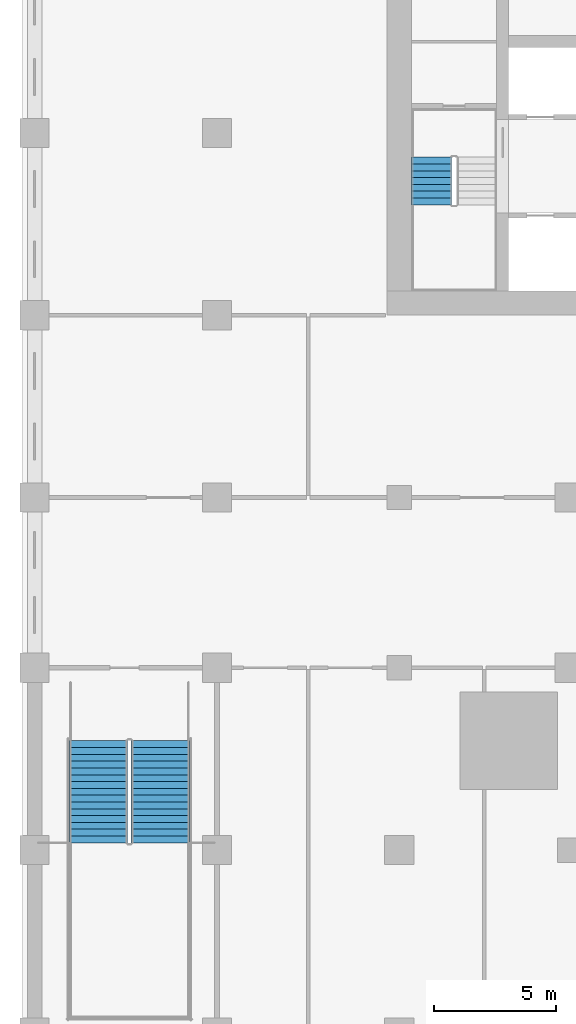
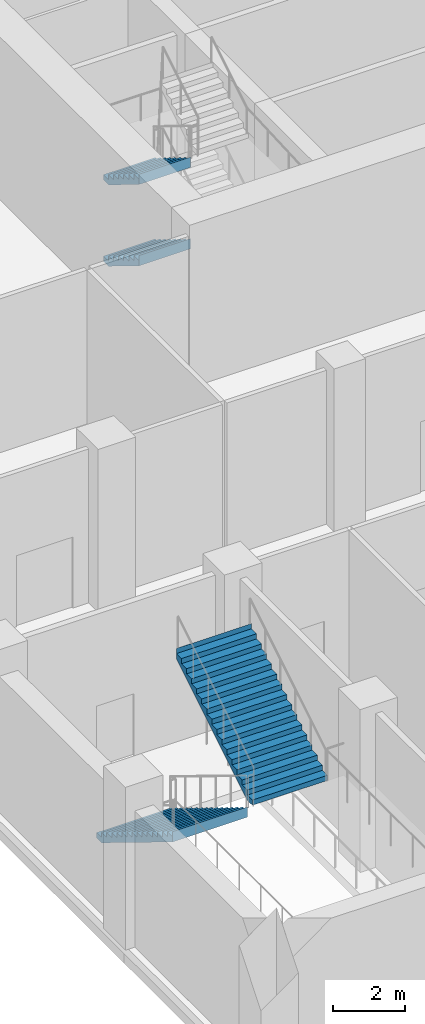
# One storey, part 13 of 25: 4 stair flights, 2 elements without a shape of their own.
"""IFC4 building model written with IfcOpenShell, lengths in metres."""

from ifc_helpers import new_model, si_unit, direction, frame, origin, place, context, subcontext, project, spatial, polyline, outline, extrude, material, type_object, element, aggregate, save


model = new_model("IFC4")

# Units and contexts
model_context = context("Model", 3, precision=1e-05, world=origin(), true_north=direction((0.0, 1.0)))
body_context = subcontext(model_context, "Body", "Model", "MODEL_VIEW")
ifc_project = project(units=[si_unit("LENGTHUNIT", "METRE"), si_unit("AREAUNIT", "SQUARE_METRE"), si_unit("VOLUMEUNIT", "CUBIC_METRE"), si_unit("PLANEANGLEUNIT", "RADIAN"), si_unit("MASSUNIT", "GRAM", prefix="KILO")], contexts=[model_context])

# Site, building, storey
site_placement = place(None, origin())
site = spatial("IfcSite", under=ifc_project, at=site_placement, CompositionType="ELEMENT")
building_placement = place(site_placement, origin())
building = spatial("IfcBuilding", under=site, at=building_placement, Name="Tamorin Gate", CompositionType="ELEMENT")
storey_placement = place(building_placement, frame((0.0, 0.0, 23.5)))
storey = spatial("IfcBuildingStorey", under=building, at=storey_placement, Name="L04", CompositionType="ELEMENT", Elevation=23.5)

# Stair, stair flights
ifc_material_1 = material(Name="Concrete C40/50", Category="concrete")
stair_type_1 = type_object("IfcStairType", Name="Exit stair", PredefinedType="HALF_TURN_STAIR", material=ifc_material_1)
stair_1_placement = place(storey_placement, origin())
stair_1 = element("IfcStair", 1, at=stair_1_placement, inside=storey, type_object=stair_type_1, Name="L04 stair ST1", PredefinedType="HALF_TURN_STAIR")
stair_flight_type_1 = type_object("IfcStairFlightType", Name="Exit stair flight", PredefinedType="STRAIGHT", material=ifc_material_1)
stair_flight_1_placement = place(storey_placement, frame((31.824951171875, 66.5, 0.0), z_axis=(0.0, 0.0, 1.0), x_axis=(0.0, -1.0, 0.0)))
stair_flight_1 = element("IfcStairFlight", 2, at=stair_flight_1_placement, type_object=stair_flight_type_1, Name="ST1 flight 1", NumberOfRisers=8, NumberOfTreads=7, PredefinedType="STRAIGHT", RiserHeight=0.171875, TreadLength=0.28, context=body_context, shape_type="SweptSolid", body=[
    extrude(outline(polyline([(-0.00048828125, 0.0), (-0.00048828125, 0.001708984375), (-0.00048828125, 0.00341796875), (-0.00048828125, 0.005126953125), (-0.00048828125, 0.0068359375), (-0.00048828125, 0.008544921875), (-0.00048828125, 0.01025390625), (-0.00048828125, 0.011962890625), (-0.00048828125, 0.013671875), (-0.00048828125, 0.015380859375), (-0.00048828125, 0.01708984375), (-0.00048828125, 0.018798828125), (-0.00048828125, 0.0205078125), (-0.00048828125, 0.022216796875), (-0.00048828125, 0.02392578125), (-0.00048828125, 0.025634765625), (-0.00048828125, 0.02734375), (-0.00048828125, 0.02880859375), (-0.00048828125, 0.030517578125), (-0.00048828125, 0.0322265625), (-0.00048828125, 0.033935546875), (-0.00048828125, 0.03564453125), (-0.00048828125, 0.037353515625), (-0.00048828125, 0.0390625), (-0.00048828125, 0.040771484375), (-0.00048828125, 0.04248046875), (-0.00048828125, 0.044189453125), (-0.00048828125, 0.0458984375), (-0.00048828125, 0.047607421875), (-0.00048828125, 0.04931640625), (-0.00048828125, 0.051025390625), (-0.00048828125, 0.052734375), (-0.00048828125, 0.054443359375), (-0.00048828125, 0.05615234375), (-0.00048828125, 0.057861328125), (-0.00048828125, 0.0595703125), (-0.00048828125, 0.061279296875), (-0.00048828125, 0.06298828125), (-0.00048828125, 0.064697265625), (-0.00048828125, 0.06640625), (-0.00048828125, 0.068115234375), (-0.00048828125, 0.06982421875), (-0.00048828125, 0.071533203125), (-0.00048828125, 0.0732421875), (-0.00048828125, 0.074951171875), (-0.00048828125, 0.07666015625), (-0.00048828125, 0.078369140625), (-0.00048828125, 0.080078125), (-0.00048828125, 0.081787109375), (-0.00048828125, 0.08349609375), (-0.00048828125, 0.085205078125), (-0.00048828125, 0.086669921875), (-0.00048828125, 0.08837890625), (-0.00048828125, 0.090087890625), (-0.00048828125, 0.091796875), (-0.00048828125, 0.093505859375), (-0.00048828125, 0.09521484375), (-0.00048828125, 0.096923828125), (-0.00048828125, 0.0986328125), (-0.00048828125, 0.100341796875), (-0.00048828125, 0.10205078125), (-0.00048828125, 0.103759765625), (-0.00048828125, 0.10546875), (-0.00048828125, 0.107177734375), (-0.00048828125, 0.10888671875), (-0.00048828125, 0.110595703125), (-0.00048828125, 0.1123046875), (-0.00048828125, 0.114013671875), (-0.00048828125, 0.11572265625), (-0.00048828125, 0.117431640625), (-0.00048828125, 0.119140625), (-0.00048828125, 0.120849609375), (-0.00048828125, 0.12255859375), (-0.00048828125, 0.124267578125), (-0.00048828125, 0.1259765625), (-0.00048828125, 0.127685546875), (-0.00048828125, 0.12939453125), (-0.00048828125, 0.131103515625), (-0.00048828125, 0.1328125), (-0.00048828125, 0.134521484375), (-0.00048828125, 0.13623046875), (-0.00048828125, 0.137939453125), (-0.00048828125, 0.1396484375), (-0.00048828125, 0.141357421875), (-0.00048828125, 0.14306640625), (-0.00048828125, 0.14453125), (-0.00048828125, 0.146240234375), (-0.00048828125, 0.14794921875), (-0.00048828125, 0.149658203125), (-0.00048828125, 0.1513671875), (-0.00048828125, 0.153076171875), (-0.00048828125, 0.15478515625), (-0.00048828125, 0.156494140625), (-0.00048828125, 0.158203125), (-0.00048828125, 0.159912109375), (-0.00048828125, 0.16162109375), (-0.00048828125, 0.163330078125), (-0.00048828125, 0.1650390625), (-0.00048828125, 0.166748046875), (-0.00048828125, 0.16845703125), (-0.00048828125, 0.170166015625), (-0.00048828125, 0.171875), (0.280029296875, 0.171875), (0.280029296875, 0.34375), (0.56005859375, 0.34375), (0.56005859375, 0.515625), (0.840087890625, 0.515625), (0.840087890625, 0.6875), (1.1201171875, 0.6875), (1.1201171875, 0.859375), (1.39990234375, 0.859375), (1.39990234375, 1.03125), (1.679931640625, 1.03125), (1.679931640625, 1.203125), (1.9599609375, 1.203125), (1.9599609375, 1.375), (1.96044921875, 1.375), (1.96044921875, 1.37158203125), (1.96044921875, 1.3681640625), (1.96044921875, 1.36474609375), (1.96044921875, 1.361328125), (1.96044921875, 1.357666015625), (1.96044921875, 1.354248046875), (1.96044921875, 1.350830078125), (1.96044921875, 1.347412109375), (1.96044921875, 1.343994140625), (1.96044921875, 1.340576171875), (1.96044921875, 1.337158203125), (1.96044921875, 1.333740234375), (1.96044921875, 1.330322265625), (1.96044921875, 1.326904296875), (1.96044921875, 1.3232421875), (1.96044921875, 1.31982421875), (1.96044921875, 1.31640625), (1.96044921875, 1.31298828125), (1.96044921875, 1.3095703125), (1.96044921875, 1.30615234375), (1.96044921875, 1.302734375), (1.96044921875, 1.29931640625), (1.96044921875, 1.2958984375), (1.96044921875, 1.29248046875), (1.96044921875, 1.288818359375), (1.96044921875, 1.285400390625), (1.96044921875, 1.281982421875), (1.96044921875, 1.278564453125), (1.96044921875, 1.275146484375), (1.96044921875, 1.271728515625), (1.96044921875, 1.268310546875), (1.96044921875, 1.264892578125), (1.96044921875, 1.261474609375), (1.96044921875, 1.2578125), (1.96044921875, 1.25439453125), (1.96044921875, 1.2509765625), (1.96044921875, 1.24755859375), (1.96044921875, 1.244140625), (1.96044921875, 1.24072265625), (1.96044921875, 1.2373046875), (1.96044921875, 1.23388671875), (1.96044921875, 1.23046875), (1.96044921875, 1.22705078125), (1.96044921875, 1.223388671875), (1.96044921875, 1.219970703125), (1.96044921875, 1.216552734375), (1.96044921875, 1.213134765625), (1.96044921875, 1.209716796875), (1.96044921875, 1.206298828125), (1.96044921875, 1.202880859375), (1.96044921875, 1.199462890625), (1.96044921875, 1.196044921875), (1.96044921875, 1.192626953125), (1.96044921875, 1.18896484375), (1.96044921875, 1.185546875), (1.96044921875, 1.18212890625), (1.96044921875, 1.1787109375), (1.96044921875, 1.17529296875), (1.96044921875, 1.171875), (1.96044921875, 1.16845703125), (1.96044921875, 1.1650390625), (1.96044921875, 1.16162109375), (1.96044921875, 1.157958984375), (1.96044921875, 1.154541015625), (1.96044921875, 1.151123046875), (1.96044921875, 1.147705078125), (1.96044921875, 1.144287109375), (1.96044921875, 1.140869140625), (1.96044921875, 1.137451171875), (1.96044921875, 1.134033203125), (1.96044921875, 1.130615234375), (1.96044921875, 1.127197265625), (1.96044921875, 1.12353515625), (1.96044921875, 1.1201171875), (1.96044921875, 1.11669921875), (1.96044921875, 1.11328125), (1.96044921875, 1.10986328125), (1.96044921875, 1.1064453125), (1.96044921875, 1.10302734375), (1.96044921875, 1.099609375), (1.96044921875, 1.09619140625), (1.96044921875, 1.0927734375), (1.96044921875, 1.089111328125), (1.96044921875, 1.085693359375), (1.96044921875, 1.082275390625), (1.96044921875, 1.078857421875), (1.96044921875, 1.075439453125), (1.96044921875, 1.072021484375), (1.96044921875, 1.068603515625), (1.96044921875, 1.065185546875), (1.96044921875, 1.061767578125), (1.96044921875, 1.05810546875), (1.96044921875, 1.0546875), (1.96044921875, 1.05126953125), (1.96044921875, 1.0478515625), (1.96044921875, 1.04443359375), (1.96044921875, 1.041015625), (1.96044921875, 1.03759765625), (1.96044921875, 1.0341796875), (1.96044921875, 1.03076171875), (1.96044921875, 1.02734375), (1.9599609375, 1.02734375), (0.28662109375, 0.0), (-0.00048828125, 0.0)])), frame((0.0, 0.824951171875, 0.0), z_axis=(0.0, -1.0, 0.0), x_axis=(1.0, 0.0, 0.0)), (0.0, 0.0, 1.0), 1.64990234375),
])
stair_flight_2_placement = place(storey_placement, frame((31.824951171875, 66.5, 2.75), z_axis=(0.0, 0.0, 1.0), x_axis=(0.0, -1.0, 0.0)))
stair_flight_2 = element("IfcStairFlight", 3, at=stair_flight_2_placement, type_object=stair_flight_type_1, Name="ST1 flight 3", NumberOfRisers=8, NumberOfTreads=7, PredefinedType="STRAIGHT", RiserHeight=0.171875, TreadLength=0.28, context=body_context, shape_type="SweptSolid", body=[
    extrude(outline(polyline([(-0.00048828125, 0.0), (-0.00048828125, 0.001708984375), (-0.00048828125, 0.00341796875), (-0.00048828125, 0.005126953125), (-0.00048828125, 0.0068359375), (-0.00048828125, 0.008544921875), (-0.00048828125, 0.01025390625), (-0.00048828125, 0.011962890625), (-0.00048828125, 0.013671875), (-0.00048828125, 0.015380859375), (-0.00048828125, 0.01708984375), (-0.00048828125, 0.018798828125), (-0.00048828125, 0.0205078125), (-0.00048828125, 0.022216796875), (-0.00048828125, 0.02392578125), (-0.00048828125, 0.025634765625), (-0.00048828125, 0.02734375), (-0.00048828125, 0.02880859375), (-0.00048828125, 0.030517578125), (-0.00048828125, 0.0322265625), (-0.00048828125, 0.033935546875), (-0.00048828125, 0.03564453125), (-0.00048828125, 0.037353515625), (-0.00048828125, 0.0390625), (-0.00048828125, 0.040771484375), (-0.00048828125, 0.04248046875), (-0.00048828125, 0.044189453125), (-0.00048828125, 0.0458984375), (-0.00048828125, 0.047607421875), (-0.00048828125, 0.04931640625), (-0.00048828125, 0.051025390625), (-0.00048828125, 0.052734375), (-0.00048828125, 0.054443359375), (-0.00048828125, 0.05615234375), (-0.00048828125, 0.057861328125), (-0.00048828125, 0.0595703125), (-0.00048828125, 0.061279296875), (-0.00048828125, 0.06298828125), (-0.00048828125, 0.064697265625), (-0.00048828125, 0.06640625), (-0.00048828125, 0.068115234375), (-0.00048828125, 0.06982421875), (-0.00048828125, 0.071533203125), (-0.00048828125, 0.0732421875), (-0.00048828125, 0.074951171875), (-0.00048828125, 0.07666015625), (-0.00048828125, 0.078369140625), (-0.00048828125, 0.080078125), (-0.00048828125, 0.081787109375), (-0.00048828125, 0.08349609375), (-0.00048828125, 0.085205078125), (-0.00048828125, 0.086669921875), (-0.00048828125, 0.08837890625), (-0.00048828125, 0.090087890625), (-0.00048828125, 0.091796875), (-0.00048828125, 0.093505859375), (-0.00048828125, 0.09521484375), (-0.00048828125, 0.096923828125), (-0.00048828125, 0.0986328125), (-0.00048828125, 0.100341796875), (-0.00048828125, 0.10205078125), (-0.00048828125, 0.103759765625), (-0.00048828125, 0.10546875), (-0.00048828125, 0.107177734375), (-0.00048828125, 0.10888671875), (-0.00048828125, 0.110595703125), (-0.00048828125, 0.1123046875), (-0.00048828125, 0.114013671875), (-0.00048828125, 0.11572265625), (-0.00048828125, 0.117431640625), (-0.00048828125, 0.119140625), (-0.00048828125, 0.120849609375), (-0.00048828125, 0.12255859375), (-0.00048828125, 0.124267578125), (-0.00048828125, 0.1259765625), (-0.00048828125, 0.127685546875), (-0.00048828125, 0.12939453125), (-0.00048828125, 0.131103515625), (-0.00048828125, 0.1328125), (-0.00048828125, 0.134521484375), (-0.00048828125, 0.13623046875), (-0.00048828125, 0.137939453125), (-0.00048828125, 0.1396484375), (-0.00048828125, 0.141357421875), (-0.00048828125, 0.14306640625), (-0.00048828125, 0.14453125), (-0.00048828125, 0.146240234375), (-0.00048828125, 0.14794921875), (-0.00048828125, 0.149658203125), (-0.00048828125, 0.1513671875), (-0.00048828125, 0.153076171875), (-0.00048828125, 0.15478515625), (-0.00048828125, 0.156494140625), (-0.00048828125, 0.158203125), (-0.00048828125, 0.159912109375), (-0.00048828125, 0.16162109375), (-0.00048828125, 0.163330078125), (-0.00048828125, 0.1650390625), (-0.00048828125, 0.166748046875), (-0.00048828125, 0.16845703125), (-0.00048828125, 0.170166015625), (-0.00048828125, 0.171875), (0.280029296875, 0.171875), (0.280029296875, 0.34375), (0.56005859375, 0.34375), (0.56005859375, 0.515625), (0.840087890625, 0.515625), (0.840087890625, 0.6875), (1.1201171875, 0.6875), (1.1201171875, 0.859375), (1.39990234375, 0.859375), (1.39990234375, 1.03125), (1.679931640625, 1.03125), (1.679931640625, 1.203125), (1.9599609375, 1.203125), (1.9599609375, 1.375), (1.96044921875, 1.375), (1.96044921875, 1.37158203125), (1.96044921875, 1.3681640625), (1.96044921875, 1.36474609375), (1.96044921875, 1.361328125), (1.96044921875, 1.357666015625), (1.96044921875, 1.354248046875), (1.96044921875, 1.350830078125), (1.96044921875, 1.347412109375), (1.96044921875, 1.343994140625), (1.96044921875, 1.340576171875), (1.96044921875, 1.337158203125), (1.96044921875, 1.333740234375), (1.96044921875, 1.330322265625), (1.96044921875, 1.326904296875), (1.96044921875, 1.3232421875), (1.96044921875, 1.31982421875), (1.96044921875, 1.31640625), (1.96044921875, 1.31298828125), (1.96044921875, 1.3095703125), (1.96044921875, 1.30615234375), (1.96044921875, 1.302734375), (1.96044921875, 1.29931640625), (1.96044921875, 1.2958984375), (1.96044921875, 1.29248046875), (1.96044921875, 1.288818359375), (1.96044921875, 1.285400390625), (1.96044921875, 1.281982421875), (1.96044921875, 1.278564453125), (1.96044921875, 1.275146484375), (1.96044921875, 1.271728515625), (1.96044921875, 1.268310546875), (1.96044921875, 1.264892578125), (1.96044921875, 1.261474609375), (1.96044921875, 1.2578125), (1.96044921875, 1.25439453125), (1.96044921875, 1.2509765625), (1.96044921875, 1.24755859375), (1.96044921875, 1.244140625), (1.96044921875, 1.24072265625), (1.96044921875, 1.2373046875), (1.96044921875, 1.23388671875), (1.96044921875, 1.23046875), (1.96044921875, 1.22705078125), (1.96044921875, 1.223388671875), (1.96044921875, 1.219970703125), (1.96044921875, 1.216552734375), (1.96044921875, 1.213134765625), (1.96044921875, 1.209716796875), (1.96044921875, 1.206298828125), (1.96044921875, 1.202880859375), (1.96044921875, 1.199462890625), (1.96044921875, 1.196044921875), (1.96044921875, 1.192626953125), (1.96044921875, 1.18896484375), (1.96044921875, 1.185546875), (1.96044921875, 1.18212890625), (1.96044921875, 1.1787109375), (1.96044921875, 1.17529296875), (1.96044921875, 1.171875), (1.96044921875, 1.16845703125), (1.96044921875, 1.1650390625), (1.96044921875, 1.16162109375), (1.96044921875, 1.157958984375), (1.96044921875, 1.154541015625), (1.96044921875, 1.151123046875), (1.96044921875, 1.147705078125), (1.96044921875, 1.144287109375), (1.96044921875, 1.140869140625), (1.96044921875, 1.137451171875), (1.96044921875, 1.134033203125), (1.96044921875, 1.130615234375), (1.96044921875, 1.127197265625), (1.96044921875, 1.12353515625), (1.96044921875, 1.1201171875), (1.96044921875, 1.11669921875), (1.96044921875, 1.11328125), (1.96044921875, 1.10986328125), (1.96044921875, 1.1064453125), (1.96044921875, 1.10302734375), (1.96044921875, 1.099609375), (1.96044921875, 1.09619140625), (1.96044921875, 1.0927734375), (1.96044921875, 1.089111328125), (1.96044921875, 1.085693359375), (1.96044921875, 1.082275390625), (1.96044921875, 1.078857421875), (1.96044921875, 1.075439453125), (1.96044921875, 1.072021484375), (1.96044921875, 1.068603515625), (1.96044921875, 1.065185546875), (1.96044921875, 1.061767578125), (1.96044921875, 1.05810546875), (1.96044921875, 1.0546875), (1.96044921875, 1.05126953125), (1.96044921875, 1.0478515625), (1.96044921875, 1.04443359375), (1.96044921875, 1.041015625), (1.96044921875, 1.03759765625), (1.96044921875, 1.0341796875), (1.96044921875, 1.03076171875), (1.96044921875, 1.02734375), (1.9599609375, 1.02734375), (0.28662109375, 0.0), (-0.00048828125, 0.0)])), frame((0.0, 0.824951171875, 0.0), z_axis=(0.0, -1.0, 0.0), x_axis=(1.0, 0.0, 0.0)), (0.0, 0.0, 1.0), 1.64990234375),
])
aggregate(stair_1, [stair_flight_1, stair_flight_2])

ifc_material_2 = material(Name="Reinforced concrete C32/40", Category="concrete")
stair_type_2 = type_object("IfcStairType", Name="Podium stair PS", PredefinedType="HALF_TURN_STAIR", material=ifc_material_2)
stair_2_placement = place(storey_placement, origin())
stair_2 = element("IfcStair", 4, at=stair_2_placement, inside=storey, type_object=stair_type_2, Name="L04 Podium stair PS1", PredefinedType="HALF_TURN_STAIR")
stair_flight_type_2 = type_object("IfcStairFlightType", Name="Stair flight 2400", PredefinedType="STRAIGHT", material=ifc_material_2)
stair_flight_3_placement = place(storey_placement, frame((18.125, 42.5, 0.0), z_axis=(0.0, 0.0, 1.0), x_axis=(0.0, -1.0, 0.0)))
stair_flight_3 = element("IfcStairFlight", 5, at=stair_flight_3_placement, type_object=stair_flight_type_2, Name="PS1 flight 1", NumberOfRisers=16, NumberOfTreads=15, PredefinedType="STRAIGHT", RiserHeight=0.171875, TreadLength=0.28, context=body_context, shape_type="SweptSolid", body=[
    extrude(outline(polyline([(-0.00048828125, 0.0), (-0.00048828125, 0.001708984375), (-0.00048828125, 0.00341796875), (-0.00048828125, 0.005126953125), (-0.00048828125, 0.0068359375), (-0.00048828125, 0.008544921875), (-0.00048828125, 0.01025390625), (-0.00048828125, 0.011962890625), (-0.00048828125, 0.013671875), (-0.00048828125, 0.015380859375), (-0.00048828125, 0.01708984375), (-0.00048828125, 0.018798828125), (-0.00048828125, 0.0205078125), (-0.00048828125, 0.022216796875), (-0.00048828125, 0.02392578125), (-0.00048828125, 0.025634765625), (-0.00048828125, 0.02734375), (-0.00048828125, 0.02880859375), (-0.00048828125, 0.030517578125), (-0.00048828125, 0.0322265625), (-0.00048828125, 0.033935546875), (-0.00048828125, 0.03564453125), (-0.00048828125, 0.037353515625), (-0.00048828125, 0.0390625), (-0.00048828125, 0.040771484375), (-0.00048828125, 0.04248046875), (-0.00048828125, 0.044189453125), (-0.00048828125, 0.0458984375), (-0.00048828125, 0.047607421875), (-0.00048828125, 0.04931640625), (-0.00048828125, 0.051025390625), (-0.00048828125, 0.052734375), (-0.00048828125, 0.054443359375), (-0.00048828125, 0.05615234375), (-0.00048828125, 0.057861328125), (-0.00048828125, 0.0595703125), (-0.00048828125, 0.061279296875), (-0.00048828125, 0.06298828125), (-0.00048828125, 0.064697265625), (-0.00048828125, 0.06640625), (-0.00048828125, 0.068115234375), (-0.00048828125, 0.06982421875), (-0.00048828125, 0.071533203125), (-0.00048828125, 0.0732421875), (-0.00048828125, 0.074951171875), (-0.00048828125, 0.07666015625), (-0.00048828125, 0.078369140625), (-0.00048828125, 0.080078125), (-0.00048828125, 0.081787109375), (-0.00048828125, 0.08349609375), (-0.00048828125, 0.085205078125), (-0.00048828125, 0.086669921875), (-0.00048828125, 0.08837890625), (-0.00048828125, 0.090087890625), (-0.00048828125, 0.091796875), (-0.00048828125, 0.093505859375), (-0.00048828125, 0.09521484375), (-0.00048828125, 0.096923828125), (-0.00048828125, 0.0986328125), (-0.00048828125, 0.100341796875), (-0.00048828125, 0.10205078125), (-0.00048828125, 0.103759765625), (-0.00048828125, 0.10546875), (-0.00048828125, 0.107177734375), (-0.00048828125, 0.10888671875), (-0.00048828125, 0.110595703125), (-0.00048828125, 0.1123046875), (-0.00048828125, 0.114013671875), (-0.00048828125, 0.11572265625), (-0.00048828125, 0.117431640625), (-0.00048828125, 0.119140625), (-0.00048828125, 0.120849609375), (-0.00048828125, 0.12255859375), (-0.00048828125, 0.124267578125), (-0.00048828125, 0.1259765625), (-0.00048828125, 0.127685546875), (-0.00048828125, 0.12939453125), (-0.00048828125, 0.131103515625), (-0.00048828125, 0.1328125), (-0.00048828125, 0.134521484375), (-0.00048828125, 0.13623046875), (-0.00048828125, 0.137939453125), (-0.00048828125, 0.1396484375), (-0.00048828125, 0.141357421875), (-0.00048828125, 0.14306640625), (-0.00048828125, 0.14453125), (-0.00048828125, 0.146240234375), (-0.00048828125, 0.14794921875), (-0.00048828125, 0.149658203125), (-0.00048828125, 0.1513671875), (-0.00048828125, 0.153076171875), (-0.00048828125, 0.15478515625), (-0.00048828125, 0.156494140625), (-0.00048828125, 0.158203125), (-0.00048828125, 0.159912109375), (-0.00048828125, 0.16162109375), (-0.00048828125, 0.163330078125), (-0.00048828125, 0.1650390625), (-0.00048828125, 0.166748046875), (-0.00048828125, 0.16845703125), (-0.00048828125, 0.170166015625), (-0.00048828125, 0.171875), (0.280029296875, 0.171875), (0.280029296875, 0.34375), (0.56005859375, 0.34375), (0.56005859375, 0.515625), (0.840087890625, 0.515625), (0.840087890625, 0.6875), (1.1201171875, 0.6875), (1.1201171875, 0.859375), (1.39990234375, 0.859375), (1.39990234375, 1.03125), (1.679931640625, 1.03125), (1.679931640625, 1.203125), (1.9599609375, 1.203125), (1.9599609375, 1.375), (2.239990234375, 1.375), (2.239990234375, 1.546875), (2.52001953125, 1.546875), (2.52001953125, 1.71875), (2.800048828125, 1.71875), (2.800048828125, 1.890625), (3.080078125, 1.890625), (3.080078125, 2.0625), (3.360107421875, 2.0625), (3.360107421875, 2.234375), (3.639892578125, 2.234375), (3.639892578125, 2.40625), (3.919921875, 2.40625), (3.919921875, 2.578125), (4.199951171875, 2.578125), (4.199951171875, 2.75), (4.200439453125, 2.75), (4.200439453125, 2.74658203125), (4.200439453125, 2.7431640625), (4.200439453125, 2.73974609375), (4.200439453125, 2.736328125), (4.200439453125, 2.732666015625), (4.200439453125, 2.729248046875), (4.200439453125, 2.725830078125), (4.200439453125, 2.722412109375), (4.200439453125, 2.718994140625), (4.200439453125, 2.715576171875), (4.200439453125, 2.712158203125), (4.200439453125, 2.708740234375), (4.200439453125, 2.705322265625), (4.200439453125, 2.701904296875), (4.200439453125, 2.6982421875), (4.200439453125, 2.69482421875), (4.200439453125, 2.69140625), (4.200439453125, 2.68798828125), (4.200439453125, 2.6845703125), (4.200439453125, 2.68115234375), (4.200439453125, 2.677734375), (4.200439453125, 2.67431640625), (4.200439453125, 2.6708984375), (4.200439453125, 2.66748046875), (4.200439453125, 2.663818359375), (4.200439453125, 2.660400390625), (4.200439453125, 2.656982421875), (4.200439453125, 2.653564453125), (4.200439453125, 2.650146484375), (4.200439453125, 2.646728515625), (4.200439453125, 2.643310546875), (4.200439453125, 2.639892578125), (4.200439453125, 2.636474609375), (4.200439453125, 2.6328125), (4.200439453125, 2.62939453125), (4.200439453125, 2.6259765625), (4.200439453125, 2.62255859375), (4.200439453125, 2.619140625), (4.200439453125, 2.61572265625), (4.200439453125, 2.6123046875), (4.200439453125, 2.60888671875), (4.200439453125, 2.60546875), (4.200439453125, 2.60205078125), (4.200439453125, 2.598388671875), (4.200439453125, 2.594970703125), (4.200439453125, 2.591552734375), (4.200439453125, 2.588134765625), (4.200439453125, 2.584716796875), (4.200439453125, 2.581298828125), (4.200439453125, 2.577880859375), (4.200439453125, 2.574462890625), (4.200439453125, 2.571044921875), (4.200439453125, 2.567626953125), (4.200439453125, 2.56396484375), (4.200439453125, 2.560546875), (4.200439453125, 2.55712890625), (4.200439453125, 2.5537109375), (4.200439453125, 2.55029296875), (4.200439453125, 2.546875), (4.200439453125, 2.54345703125), (4.200439453125, 2.5400390625), (4.200439453125, 2.53662109375), (4.200439453125, 2.532958984375), (4.200439453125, 2.529541015625), (4.200439453125, 2.526123046875), (4.200439453125, 2.522705078125), (4.200439453125, 2.519287109375), (4.200439453125, 2.515869140625), (4.200439453125, 2.512451171875), (4.200439453125, 2.509033203125), (4.200439453125, 2.505615234375), (4.200439453125, 2.502197265625), (4.200439453125, 2.49853515625), (4.200439453125, 2.4951171875), (4.200439453125, 2.49169921875), (4.200439453125, 2.48828125), (4.200439453125, 2.48486328125), (4.200439453125, 2.4814453125), (4.200439453125, 2.47802734375), (4.200439453125, 2.474609375), (4.200439453125, 2.47119140625), (4.200439453125, 2.4677734375), (4.200439453125, 2.464111328125), (4.200439453125, 2.460693359375), (4.200439453125, 2.457275390625), (4.200439453125, 2.453857421875), (4.200439453125, 2.450439453125), (4.200439453125, 2.447021484375), (4.200439453125, 2.443603515625), (4.200439453125, 2.440185546875), (4.200439453125, 2.436767578125), (4.200439453125, 2.43310546875), (4.200439453125, 2.4296875), (4.200439453125, 2.42626953125), (4.200439453125, 2.4228515625), (4.200439453125, 2.41943359375), (4.200439453125, 2.416015625), (4.200439453125, 2.41259765625), (4.200439453125, 2.4091796875), (4.200439453125, 2.40576171875), (4.200439453125, 2.40234375), (4.199951171875, 2.40234375), (0.28662109375, 0.0), (-0.00048828125, 0.0)])), frame((0.0, 1.199951171875, 0.0), z_axis=(0.0, -1.0, 0.0), x_axis=(1.0, 0.0, 0.0)), (0.0, 0.0, 1.0), 2.39990234375),
])
stair_flight_4_placement = place(storey_placement, frame((20.675048828125, 38.300048828125, 2.75), z_axis=(0.0, 0.0, 1.0), x_axis=(0.0, 1.0, 0.0)))
stair_flight_4 = element("IfcStairFlight", 6, at=stair_flight_4_placement, type_object=stair_flight_type_2, Name="PS1 flight 2", NumberOfRisers=16, NumberOfTreads=15, PredefinedType="STRAIGHT", RiserHeight=0.171875, TreadLength=0.28, context=body_context, shape_type="SweptSolid", body=[
    extrude(outline(polyline([(-0.00048828125, 0.0), (-0.00048828125, 0.001708984375), (-0.00048828125, 0.00341796875), (-0.00048828125, 0.005126953125), (-0.00048828125, 0.0068359375), (-0.00048828125, 0.008544921875), (-0.00048828125, 0.01025390625), (-0.00048828125, 0.011962890625), (-0.00048828125, 0.013671875), (-0.00048828125, 0.015380859375), (-0.00048828125, 0.01708984375), (-0.00048828125, 0.018798828125), (-0.00048828125, 0.0205078125), (-0.00048828125, 0.022216796875), (-0.00048828125, 0.02392578125), (-0.00048828125, 0.025634765625), (-0.00048828125, 0.02734375), (-0.00048828125, 0.02880859375), (-0.00048828125, 0.030517578125), (-0.00048828125, 0.0322265625), (-0.00048828125, 0.033935546875), (-0.00048828125, 0.03564453125), (-0.00048828125, 0.037353515625), (-0.00048828125, 0.0390625), (-0.00048828125, 0.040771484375), (-0.00048828125, 0.04248046875), (-0.00048828125, 0.044189453125), (-0.00048828125, 0.0458984375), (-0.00048828125, 0.047607421875), (-0.00048828125, 0.04931640625), (-0.00048828125, 0.051025390625), (-0.00048828125, 0.052734375), (-0.00048828125, 0.054443359375), (-0.00048828125, 0.05615234375), (-0.00048828125, 0.057861328125), (-0.00048828125, 0.0595703125), (-0.00048828125, 0.061279296875), (-0.00048828125, 0.06298828125), (-0.00048828125, 0.064697265625), (-0.00048828125, 0.06640625), (-0.00048828125, 0.068115234375), (-0.00048828125, 0.06982421875), (-0.00048828125, 0.071533203125), (-0.00048828125, 0.0732421875), (-0.00048828125, 0.074951171875), (-0.00048828125, 0.07666015625), (-0.00048828125, 0.078369140625), (-0.00048828125, 0.080078125), (-0.00048828125, 0.081787109375), (-0.00048828125, 0.08349609375), (-0.00048828125, 0.085205078125), (-0.00048828125, 0.086669921875), (-0.00048828125, 0.08837890625), (-0.00048828125, 0.090087890625), (-0.00048828125, 0.091796875), (-0.00048828125, 0.093505859375), (-0.00048828125, 0.09521484375), (-0.00048828125, 0.096923828125), (-0.00048828125, 0.0986328125), (-0.00048828125, 0.100341796875), (-0.00048828125, 0.10205078125), (-0.00048828125, 0.103759765625), (-0.00048828125, 0.10546875), (-0.00048828125, 0.107177734375), (-0.00048828125, 0.10888671875), (-0.00048828125, 0.110595703125), (-0.00048828125, 0.1123046875), (-0.00048828125, 0.114013671875), (-0.00048828125, 0.11572265625), (-0.00048828125, 0.117431640625), (-0.00048828125, 0.119140625), (-0.00048828125, 0.120849609375), (-0.00048828125, 0.12255859375), (-0.00048828125, 0.124267578125), (-0.00048828125, 0.1259765625), (-0.00048828125, 0.127685546875), (-0.00048828125, 0.12939453125), (-0.00048828125, 0.131103515625), (-0.00048828125, 0.1328125), (-0.00048828125, 0.134521484375), (-0.00048828125, 0.13623046875), (-0.00048828125, 0.137939453125), (-0.00048828125, 0.1396484375), (-0.00048828125, 0.141357421875), (-0.00048828125, 0.14306640625), (-0.00048828125, 0.14453125), (-0.00048828125, 0.146240234375), (-0.00048828125, 0.14794921875), (-0.00048828125, 0.149658203125), (-0.00048828125, 0.1513671875), (-0.00048828125, 0.153076171875), (-0.00048828125, 0.15478515625), (-0.00048828125, 0.156494140625), (-0.00048828125, 0.158203125), (-0.00048828125, 0.159912109375), (-0.00048828125, 0.16162109375), (-0.00048828125, 0.163330078125), (-0.00048828125, 0.1650390625), (-0.00048828125, 0.166748046875), (-0.00048828125, 0.16845703125), (-0.00048828125, 0.170166015625), (-0.00048828125, 0.171875), (0.280029296875, 0.171875), (0.280029296875, 0.34375), (0.56005859375, 0.34375), (0.56005859375, 0.515625), (0.840087890625, 0.515625), (0.840087890625, 0.6875), (1.1201171875, 0.6875), (1.1201171875, 0.859375), (1.39990234375, 0.859375), (1.39990234375, 1.03125), (1.679931640625, 1.03125), (1.679931640625, 1.203125), (1.9599609375, 1.203125), (1.9599609375, 1.375), (2.239990234375, 1.375), (2.239990234375, 1.546875), (2.52001953125, 1.546875), (2.52001953125, 1.71875), (2.800048828125, 1.71875), (2.800048828125, 1.890625), (3.080078125, 1.890625), (3.080078125, 2.0625), (3.360107421875, 2.0625), (3.360107421875, 2.234375), (3.639892578125, 2.234375), (3.639892578125, 2.40625), (3.919921875, 2.40625), (3.919921875, 2.578125), (4.199951171875, 2.578125), (4.199951171875, 2.75), (4.200439453125, 2.75), (4.200439453125, 2.74658203125), (4.200439453125, 2.7431640625), (4.200439453125, 2.73974609375), (4.200439453125, 2.736328125), (4.200439453125, 2.732666015625), (4.200439453125, 2.729248046875), (4.200439453125, 2.725830078125), (4.200439453125, 2.722412109375), (4.200439453125, 2.718994140625), (4.200439453125, 2.715576171875), (4.200439453125, 2.712158203125), (4.200439453125, 2.708740234375), (4.200439453125, 2.705322265625), (4.200439453125, 2.701904296875), (4.200439453125, 2.6982421875), (4.200439453125, 2.69482421875), (4.200439453125, 2.69140625), (4.200439453125, 2.68798828125), (4.200439453125, 2.6845703125), (4.200439453125, 2.68115234375), (4.200439453125, 2.677734375), (4.200439453125, 2.67431640625), (4.200439453125, 2.6708984375), (4.200439453125, 2.66748046875), (4.200439453125, 2.663818359375), (4.200439453125, 2.660400390625), (4.200439453125, 2.656982421875), (4.200439453125, 2.653564453125), (4.200439453125, 2.650146484375), (4.200439453125, 2.646728515625), (4.200439453125, 2.643310546875), (4.200439453125, 2.639892578125), (4.200439453125, 2.636474609375), (4.200439453125, 2.6328125), (4.200439453125, 2.62939453125), (4.200439453125, 2.6259765625), (4.200439453125, 2.62255859375), (4.200439453125, 2.619140625), (4.200439453125, 2.61572265625), (4.200439453125, 2.6123046875), (4.200439453125, 2.60888671875), (4.200439453125, 2.60546875), (4.200439453125, 2.60205078125), (4.200439453125, 2.598388671875), (4.200439453125, 2.594970703125), (4.200439453125, 2.591552734375), (4.200439453125, 2.588134765625), (4.200439453125, 2.584716796875), (4.200439453125, 2.581298828125), (4.200439453125, 2.577880859375), (4.200439453125, 2.574462890625), (4.200439453125, 2.571044921875), (4.200439453125, 2.567626953125), (4.200439453125, 2.56396484375), (4.200439453125, 2.560546875), (4.200439453125, 2.55712890625), (4.200439453125, 2.5537109375), (4.200439453125, 2.55029296875), (4.200439453125, 2.546875), (4.200439453125, 2.54345703125), (4.200439453125, 2.5400390625), (4.200439453125, 2.53662109375), (4.200439453125, 2.532958984375), (4.200439453125, 2.529541015625), (4.200439453125, 2.526123046875), (4.200439453125, 2.522705078125), (4.200439453125, 2.519287109375), (4.200439453125, 2.515869140625), (4.200439453125, 2.512451171875), (4.200439453125, 2.509033203125), (4.200439453125, 2.505615234375), (4.200439453125, 2.502197265625), (4.200439453125, 2.49853515625), (4.200439453125, 2.4951171875), (4.200439453125, 2.49169921875), (4.200439453125, 2.48828125), (4.200439453125, 2.48486328125), (4.200439453125, 2.4814453125), (4.200439453125, 2.47802734375), (4.200439453125, 2.474609375), (4.200439453125, 2.47119140625), (4.200439453125, 2.4677734375), (4.200439453125, 2.464111328125), (4.200439453125, 2.460693359375), (4.200439453125, 2.457275390625), (4.200439453125, 2.453857421875), (4.200439453125, 2.450439453125), (4.200439453125, 2.447021484375), (4.200439453125, 2.443603515625), (4.200439453125, 2.440185546875), (4.200439453125, 2.436767578125), (4.200439453125, 2.43310546875), (4.200439453125, 2.4296875), (4.200439453125, 2.42626953125), (4.200439453125, 2.4228515625), (4.200439453125, 2.41943359375), (4.200439453125, 2.416015625), (4.200439453125, 2.41259765625), (4.200439453125, 2.4091796875), (4.200439453125, 2.40576171875), (4.200439453125, 2.40234375), (4.199951171875, 2.40234375), (0.28662109375, 0.0), (-0.00048828125, 0.0)])), frame((0.0, 1.199951171875, 0.0), z_axis=(0.0, -1.0, 0.0), x_axis=(1.0, 0.0, 0.0)), (0.0, 0.0, 1.0), 2.39990234375),
])
aggregate(stair_2, [stair_flight_3, stair_flight_4])

save(model, "model.ifc")
